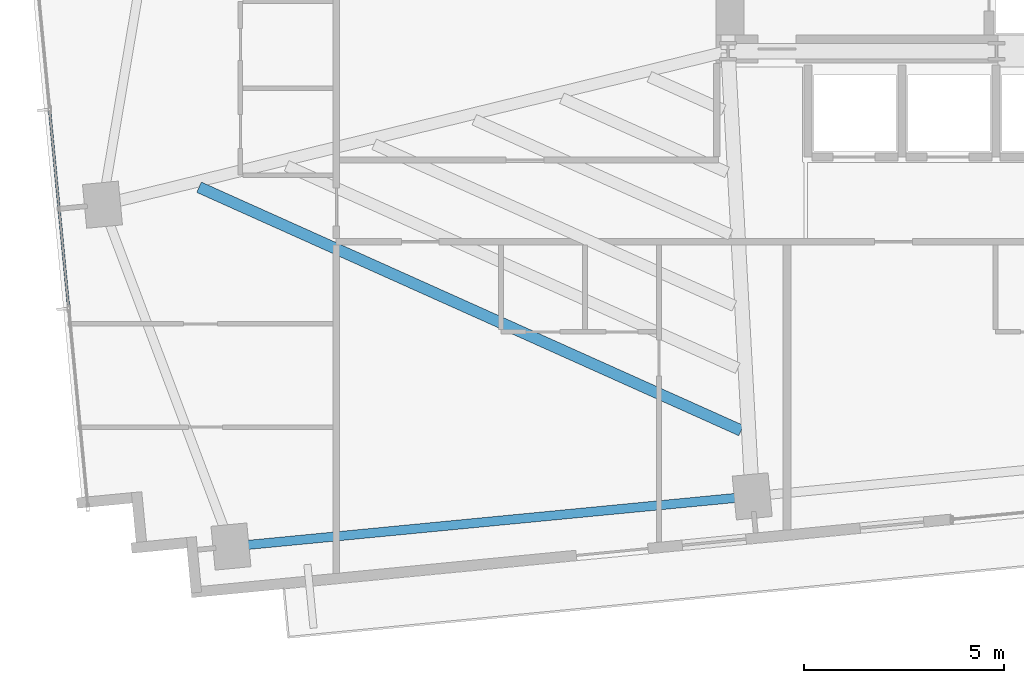
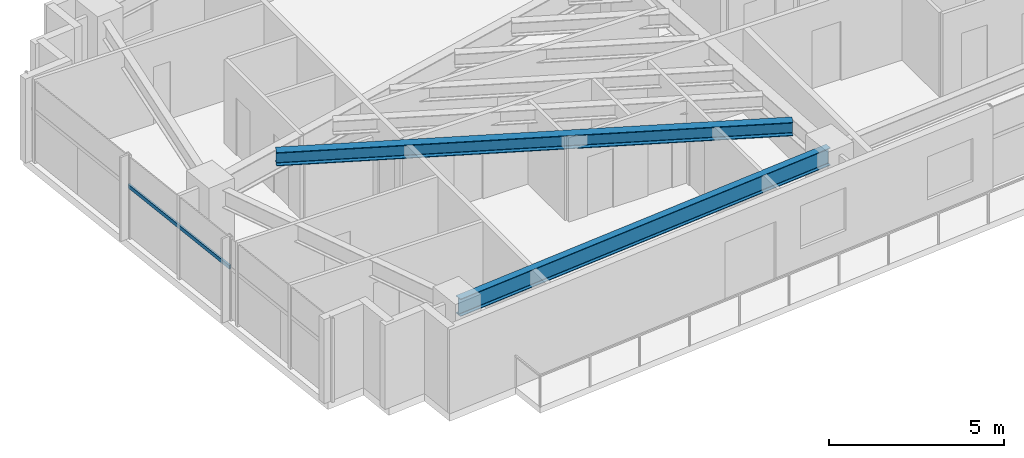
# One storey, part 3 of 27: 2 beams, 1 member, 1 element without a shape of its own.
"""IFC4 building model written with IfcOpenShell, lengths in metres."""

from ifc_helpers import new_model, si_unit, direction, frame, origin, origin_2d, place, context, subcontext, project, spatial, hollow_rectangle, i_section, extrude, source, transform, mapped, material, material_profile, profile_set, type_object, type_shapes, element, aggregate, save


model = new_model("IFC4")

# Units and contexts
model_context = context("Model", 3, precision=1e-05, world=origin(), true_north=direction((0.0, 1.0)))
body_context = subcontext(model_context, "Body", "Model", "MODEL_VIEW")
ifc_project = project(units=[si_unit("LENGTHUNIT", "METRE"), si_unit("AREAUNIT", "SQUARE_METRE"), si_unit("VOLUMEUNIT", "CUBIC_METRE"), si_unit("PLANEANGLEUNIT", "RADIAN"), si_unit("MASSUNIT", "GRAM", prefix="KILO")], contexts=[model_context])

# Site, building, storey
site_placement = place(None, origin())
site = spatial("IfcSite", under=ifc_project, at=site_placement, CompositionType="ELEMENT")
building_placement = place(site_placement, origin())
building = spatial("IfcBuilding", under=site, at=building_placement, Name="Astriad Promenade Condominiums", CompositionType="ELEMENT")
storey_placement = place(building_placement, frame((0.0, 0.0, 93.800048828125)))
storey = spatial("IfcBuildingStorey", under=building, at=storey_placement, Name="L26", CompositionType="ELEMENT", Elevation=93.800048828125)

# Beams
ifc_material_1 = material(Name="Steel ASTM A992 Grade 50", Category="steel")
ifc_material_profile_1 = material_profile(ifc_material_1, i_section(OverallWidth=0.22900390625, OverallDepth=0.612060546875, WebThickness=0.011962890625, FlangeThickness=0.01953125, FilletRadius=0.017822265625, at=origin_2d()), Name="W24X84")
ifc_profile_set_1 = profile_set([ifc_material_profile_1], Name="Steel ASTM A992 Grade 50")
beam_type_1 = type_object("IfcBeamType", Name="STEEL SPANDREL BEAM W24X84", PredefinedType="SPANDREL", material=ifc_profile_set_1)
shared_shape_1 = source(origin(), body_context, "Body", "SweptSolid", [
    extrude(i_section(OverallWidth=0.22900390625, OverallDepth=0.612060546875, WebThickness=0.011962890625, FlangeThickness=0.01953125, FilletRadius=0.017822265625, at=origin_2d()), origin(), (0.0, 0.0, 1.0), 13.02001953125),
])
type_shapes(beam_type_1, [shared_shape_1])
beam_1_placement = place(storey_placement, frame((14.005859375, 5.01318359375, 2.6337890625), z_axis=(0.995395138946, 0.095856754395, 0.0), x_axis=(-0.095856754395, 0.995395138946, 0.0)))
element("IfcBeam", 1, at=beam_1_placement, inside=storey, type_object=beam_type_1, Name="Perimeter Spandrel Beam SP-S1-L26", PredefinedType="SPANDREL", context=body_context, shape_type="MappedRepresentation", body=[
    mapped(shared_shape_1, transform((0.0, 0.0, 0.0), scale=1.0)),
])
ifc_material_profile_2 = material_profile(ifc_material_1, i_section(OverallWidth=0.283203125, OverallDepth=0.47216796875, WebThickness=0.013671875, FlangeThickness=0.022216796875, FilletRadius=0.01513671875, at=origin_2d()), Name="W18X97")
ifc_profile_set_2 = profile_set([ifc_material_profile_2], Name="Steel ASTM A992 Grade 50")
beam_type_2 = type_object("IfcBeamType", Name="STEEL FLOOR JOIST W18X97", PredefinedType="JOIST", material=ifc_profile_set_2)
shared_shape_2 = source(origin(), body_context, "Body", "SweptSolid", [
    extrude(i_section(OverallWidth=0.283203125, OverallDepth=0.47216796875, WebThickness=0.013671875, FlangeThickness=0.022216796875, FilletRadius=0.01513671875, at=origin_2d()), origin(), (0.0, 0.0, 1.0), 14.863037109375),
])
type_shapes(beam_type_2, [shared_shape_2])
beam_2_placement = place(storey_placement, frame((13.168212890625, 13.996826171875, 2.703857421875), z_axis=(0.912311114602, -0.409497777984, 0.0), x_axis=(0.409497777984, 0.912311114602, 0.0)))
element("IfcBeam", 2, at=beam_2_placement, inside=storey, type_object=beam_type_2, Name="Secondary Composite Floor Joist JW1-1-L26", PredefinedType="JOIST", context=body_context, shape_type="MappedRepresentation", body=[
    mapped(shared_shape_2, transform((0.0, 0.0, 0.0), scale=1.0)),
])

# Curtain wall, member
ifc_material_2 = material(Name="Anodised aluminium Black Dark Glass Unitised", Category="aluminium")
curtain_wall_type = type_object("IfcCurtainWallType", Name="CW-B2-DARK", PredefinedType="USERDEFINED", material=ifc_material_2)
curtain_wall_placement = place(storey_placement, origin())
curtain_wall = element("IfcCurtainWall", 3, at=curtain_wall_placement, inside=storey, type_object=curtain_wall_type, Name="CW-L26-W", ObjectType="UNITISED_CURTAIN_WALL", PredefinedType="USERDEFINED")
ifc_material_3 = material(Name="Anodised aluminium 6063-T6 Black", Category="aluminium")
ifc_material_profile_3 = material_profile(ifc_material_3, hollow_rectangle(XDim=0.06494140625, YDim=0.1298828125, WallThickness=0.00390625, at=origin_2d()), Name="ALU-TRN-65X130")
ifc_profile_set_3 = profile_set([ifc_material_profile_3], Name="Anodised aluminium 6063-T6 Black")
member_type = type_object("IfcMemberType", Name="TRN-ALU-TRN-65X130", PredefinedType="USERDEFINED", material=ifc_profile_set_3)
shared_shape_3 = source(origin(), body_context, "Body", "SweptSolid", [
    extrude(hollow_rectangle(XDim=0.06494140625, YDim=0.1298828125, WallThickness=0.00390625, at=origin_2d()), origin(), (0.0, 0.0, 1.0), 5.0),
])
type_shapes(member_type, [shared_shape_3])
member_placement = place(storey_placement, frame((9.90625, 10.9677734375, 1.82275390625), z_axis=(-0.095848242264, 0.995395958629, 0.0), x_axis=(-0.995395958629, -0.095848242264, 0.0)))
member = element("IfcMember", 4, at=member_placement, type_object=member_type, Name="CW-L26-W-TRN-01-0", ObjectType="TRANSOM", PredefinedType="USERDEFINED", context=body_context, shape_type="MappedRepresentation", body=[
    mapped(shared_shape_3, transform((0.0, 0.0, 0.0), scale=1.0)),
])
aggregate(curtain_wall, [member])

save(model, "model.ifc")
